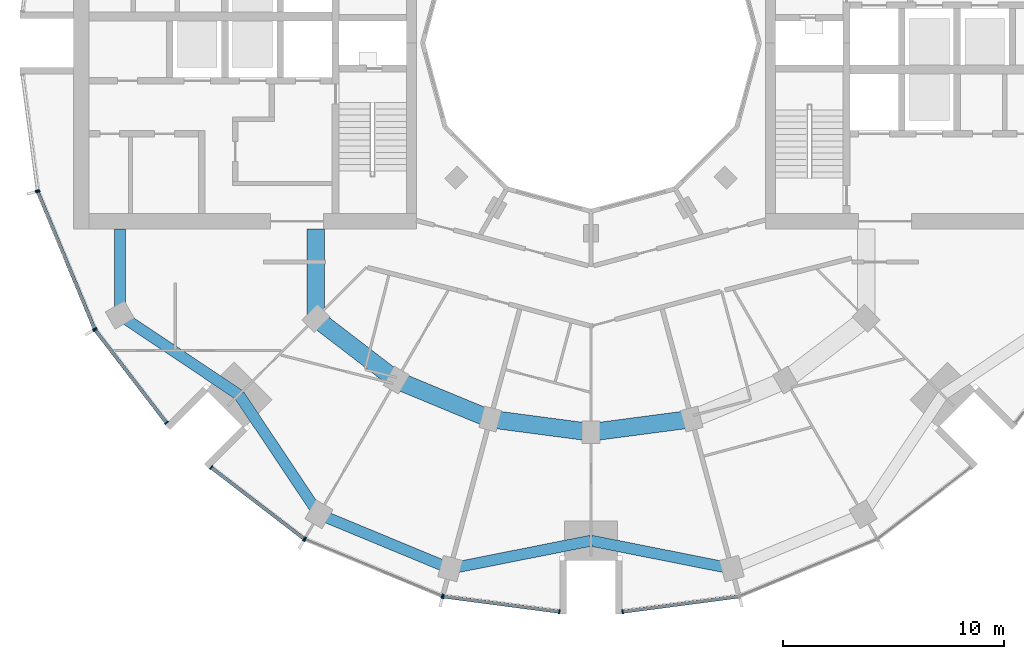
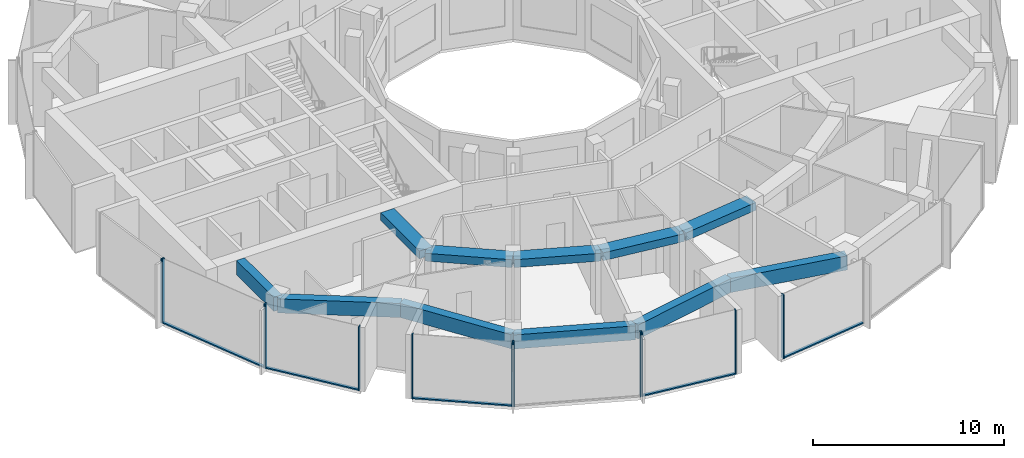
# One storey, part 2 of 15: 17 members, 11 beams, 7 elements without a shape of their own.
"""IFC4 building model written with IfcOpenShell, lengths in metres."""

from ifc_helpers import new_model, si_unit, direction, frame, origin, origin_2d, place, context, subcontext, project, spatial, rectangle, extrude, material, layer, layer_set, material_profile, profile_set, type_object, element, aggregate, save


model = new_model("IFC4")

# Units and contexts
model_context = context("Model", 3, precision=1e-05, world=origin(), true_north=direction((0.0, 1.0)))
body_context = subcontext(model_context, "Body", "Model", "MODEL_VIEW")
ifc_project = project(units=[si_unit("LENGTHUNIT", "METRE"), si_unit("AREAUNIT", "SQUARE_METRE"), si_unit("VOLUMEUNIT", "CUBIC_METRE"), si_unit("PLANEANGLEUNIT", "RADIAN"), si_unit("MASSUNIT", "GRAM", prefix="KILO")], contexts=[model_context])

# Site, building, storey
site_placement = place(None, origin())
site = spatial("IfcSite", under=ifc_project, at=site_placement, CompositionType="ELEMENT")
building_placement = place(site_placement, origin())
building = spatial("IfcBuilding", under=site, at=building_placement, Name="Torre Brocal", CompositionType="ELEMENT")
storey_placement = place(building_placement, frame((0.0, 0.0, 182.300048828125)))
storey = spatial("IfcBuildingStorey", under=building, at=storey_placement, Name="L42", CompositionType="ELEMENT", Elevation=182.300048828125)

# Curtain wall, members
ifc_material_1 = material(Name="Aluminium and glass", Category="aluminium")
ifc_layer_1 = layer(ifc_material_1, 0.199951171875)
ifc_layer_set_1 = layer_set([ifc_layer_1], Name="Aluminium and glass")
curtain_wall_type_1 = type_object("IfcCurtainWallType", Name="CW-1 CURTAIN WALL 4100 HIGH", PredefinedType="NOTDEFINED", material=ifc_layer_set_1)
curtain_wall_1_placement = place(storey_placement, origin())
curtain_wall_1 = element("IfcCurtainWall", 1, at=curtain_wall_1_placement, inside=storey, type_object=curtain_wall_type_1, Name="CW-1 RUN 14", PredefinedType="NOTDEFINED")
ifc_material_2 = material(Name="Aluminium, dark anodised", Category="aluminium")
ifc_material_profile_1 = material_profile(ifc_material_2, rectangle(XDim=0.199951171875, YDim=0.06005859375, at=origin_2d()), Name="CW-1 MULLION 60X200")
ifc_profile_set_1 = profile_set([ifc_material_profile_1], Name="Aluminium, dark anodised")
member_type_1 = type_object("IfcMemberType", Name="CW-1 MULLION 60X200", PredefinedType="MULLION", material=ifc_profile_set_1)
member_1_placement = place(storey_placement, frame((54.994873046875, 68.26904296875, 0.0), z_axis=(0.0, 0.0, 1.0), x_axis=(0.923879532525, 0.382683432333, 0.0)))
member_1 = element("IfcMember", 2, at=member_1_placement, type_object=member_type_1, Name="CW1-4 mullion 1", PredefinedType="MULLION", context=body_context, shape_type="SweptSolid", body=[
    extrude(rectangle(XDim=0.199951171875, YDim=0.06005859375, at=origin_2d()), origin(), (0.0, 0.0, 1.0), 4.099853515625),
])
member_2_placement = place(storey_placement, frame((57.559326171875, 62.078125, 0.0), z_axis=(0.0, 0.0, 1.0), x_axis=(0.923879532525, 0.382683432333, 0.0)))
member_2 = element("IfcMember", 3, at=member_2_placement, type_object=member_type_1, Name="CW1-4 mullion 2", PredefinedType="MULLION", context=body_context, shape_type="SweptSolid", body=[
    extrude(rectangle(XDim=0.199951171875, YDim=0.06005859375, at=origin_2d()), origin(), (0.0, 0.0, 1.0), 4.099853515625),
])

curtain_wall_2_placement = place(storey_placement, origin())
curtain_wall_2 = element("IfcCurtainWall", 4, at=curtain_wall_2_placement, inside=storey, type_object=curtain_wall_type_1, Name="CW-1 RUN 15", PredefinedType="NOTDEFINED")
member_3_placement = place(storey_placement, frame((57.5888671875, 62.026611328125, 0.0), z_axis=(0.0, 0.0, 1.0), x_axis=(0.793353340259, 0.60876142905, 0.0)))
member_3 = element("IfcMember", 5, at=member_3_placement, type_object=member_type_1, Name="CW1-4 mullion 1", PredefinedType="MULLION", context=body_context, shape_type="SweptSolid", body=[
    extrude(rectangle(XDim=0.199951171875, YDim=0.06005859375, at=origin_2d()), origin(), (0.0, 0.0, 1.0), 4.099853515625),
])
member_4_placement = place(storey_placement, frame((60.80859375, 57.83056640625, 0.0), z_axis=(0.0, 0.0, 1.0), x_axis=(0.793353340259, 0.60876142905, 0.0)))
member_4 = element("IfcMember", 6, at=member_4_placement, type_object=member_type_1, Name="CW1-4 mullion 2", PredefinedType="MULLION", context=body_context, shape_type="SweptSolid", body=[
    extrude(rectangle(XDim=0.199951171875, YDim=0.06005859375, at=origin_2d()), origin(), (0.0, 0.0, 1.0), 4.099853515625),
])

curtain_wall_3_placement = place(storey_placement, origin())
curtain_wall_3 = element("IfcCurtainWall", 7, at=curtain_wall_3_placement, inside=storey, type_object=curtain_wall_type_1, Name="CW-1 RUN 16", PredefinedType="NOTDEFINED")
member_5_placement = place(storey_placement, frame((62.83056640625, 55.80859375, 0.0), z_axis=(0.0, 0.0, 1.0), x_axis=(0.60876142905, 0.793353340259, 0.0)))
member_5 = element("IfcMember", 8, at=member_5_placement, type_object=member_type_1, Name="CW1-4 mullion 1", PredefinedType="MULLION", context=body_context, shape_type="SweptSolid", body=[
    extrude(rectangle(XDim=0.199951171875, YDim=0.06005859375, at=origin_2d()), origin(), (0.0, 0.0, 1.0), 4.099853515625),
])
member_6_placement = place(storey_placement, frame((67.026611328125, 52.5888671875, 0.0), z_axis=(0.0, 0.0, 1.0), x_axis=(0.60876142905, 0.793353340259, 0.0)))
member_6 = element("IfcMember", 9, at=member_6_placement, type_object=member_type_1, Name="CW1-4 mullion 2", PredefinedType="MULLION", context=body_context, shape_type="SweptSolid", body=[
    extrude(rectangle(XDim=0.199951171875, YDim=0.06005859375, at=origin_2d()), origin(), (0.0, 0.0, 1.0), 4.099853515625),
])

curtain_wall_4_placement = place(storey_placement, origin())
curtain_wall_4 = element("IfcCurtainWall", 10, at=curtain_wall_4_placement, inside=storey, type_object=curtain_wall_type_1, Name="CW-1 RUN 17", PredefinedType="NOTDEFINED")
member_7_placement = place(storey_placement, frame((67.078125, 52.559326171875, 0.0), z_axis=(0.0, 0.0, 1.0), x_axis=(0.382683432333, 0.923879532525, 0.0)))
member_7 = element("IfcMember", 11, at=member_7_placement, type_object=member_type_1, Name="CW1-4 mullion 1", PredefinedType="MULLION", context=body_context, shape_type="SweptSolid", body=[
    extrude(rectangle(XDim=0.199951171875, YDim=0.06005859375, at=origin_2d()), origin(), (0.0, 0.0, 1.0), 4.099853515625),
])
member_8_placement = place(storey_placement, frame((73.26904296875, 49.994873046875, 0.0), z_axis=(0.0, 0.0, 1.0), x_axis=(0.382683432333, 0.923879532525, 0.0)))
member_8 = element("IfcMember", 12, at=member_8_placement, type_object=member_type_1, Name="CW1-4 mullion 2", PredefinedType="MULLION", context=body_context, shape_type="SweptSolid", body=[
    extrude(rectangle(XDim=0.199951171875, YDim=0.06005859375, at=origin_2d()), origin(), (0.0, 0.0, 1.0), 4.099853515625),
])
aggregate(curtain_wall_4, [member_7, member_8])

curtain_wall_5_placement = place(storey_placement, origin())
curtain_wall_5 = element("IfcCurtainWall", 13, at=curtain_wall_5_placement, inside=storey, type_object=curtain_wall_type_1, Name="CW-1 RUN 18", PredefinedType="NOTDEFINED")
member_9_placement = place(storey_placement, frame((73.32666015625, 49.9794921875, 0.0), z_axis=(0.0, 0.0, 1.0), x_axis=(0.13052619222, 0.991444861374, 0.0)))
member_9 = element("IfcMember", 14, at=member_9_placement, type_object=member_type_1, Name="CW1-4 mullion 1", PredefinedType="MULLION", context=body_context, shape_type="SweptSolid", body=[
    extrude(rectangle(XDim=0.199951171875, YDim=0.06005859375, at=origin_2d()), origin(), (0.0, 0.0, 1.0), 4.099853515625),
])
member_10_placement = place(storey_placement, frame((78.5703125, 49.2890625, 0.0), z_axis=(0.0, 0.0, 1.0), x_axis=(0.13052619222, 0.991444861374, 0.0)))
member_10 = element("IfcMember", 15, at=member_10_placement, type_object=member_type_1, Name="CW1-4 mullion 2", PredefinedType="MULLION", context=body_context, shape_type="SweptSolid", body=[
    extrude(rectangle(XDim=0.199951171875, YDim=0.06005859375, at=origin_2d()), origin(), (0.0, 0.0, 1.0), 4.099853515625),
])

# Curtain wall, member
curtain_wall_6_placement = place(storey_placement, origin())
curtain_wall_6 = element("IfcCurtainWall", 16, at=curtain_wall_6_placement, inside=storey, type_object=curtain_wall_type_1, Name="CW-1 RUN 19", PredefinedType="NOTDEFINED")
member_11_placement = place(storey_placement, frame((81.4296875, 49.2890625, 0.0), z_axis=(0.0, 0.0, 1.0), x_axis=(-0.13052619222, 0.991444861374, 0.0)))
member_11 = element("IfcMember", 17, at=member_11_placement, type_object=member_type_1, Name="CW1-4 mullion 1", PredefinedType="MULLION", context=body_context, shape_type="SweptSolid", body=[
    extrude(rectangle(XDim=0.199951171875, YDim=0.06005859375, at=origin_2d()), origin(), (0.0, 0.0, 1.0), 4.099853515625),
])

# Member
ifc_material_3 = material(Name="Aluminium, dark anodised", Category="aluminium")
ifc_material_profile_2 = material_profile(ifc_material_3, rectangle(XDim=0.159912109375, YDim=0.080078125, at=origin_2d()), Name="CW-1 TRANSOM 160X80")
ifc_profile_set_2 = profile_set([ifc_material_profile_2], Name="Aluminium, dark anodised")
member_type_2 = type_object("IfcMemberType", Name="CW-1 TRANSOM 160X80", PredefinedType="USERDEFINED", material=ifc_profile_set_2)
member_12_placement = place(storey_placement, frame((55.00634765625, 68.241455078125, 0.0400390625), z_axis=(0.38266457234, -0.923887344364, 0.0), x_axis=(0.923887344364, 0.38266457234, 0.0)))
member_12 = element("IfcMember", 18, at=member_12_placement, type_object=member_type_2, Name="CW1-4 transom 1.1", ObjectType="TRANSOM", PredefinedType="USERDEFINED", context=body_context, shape_type="SweptSolid", body=[
    extrude(rectangle(XDim=0.159912109375, YDim=0.080078125, at=origin_2d()), origin(), (0.0, 0.0, 1.0), 6.640869140625),
])

aggregate(curtain_wall_1, [member_1, member_2, member_12])

member_13_placement = place(storey_placement, frame((57.607177734375, 62.0029296875, 0.0400390625), z_axis=(0.60874908096, -0.79336281513, 0.0), x_axis=(0.79336281513, 0.60874908096, 0.0)))
member_13 = element("IfcMember", 19, at=member_13_placement, type_object=member_type_2, Name="CW1-4 transom 1.1", ObjectType="TRANSOM", PredefinedType="USERDEFINED", context=body_context, shape_type="SweptSolid", body=[
    extrude(rectangle(XDim=0.159912109375, YDim=0.080078125, at=origin_2d()), origin(), (0.0, 0.0, 1.0), 5.22900390625),
])

aggregate(curtain_wall_2, [member_3, member_4, member_13])

member_14_placement = place(storey_placement, frame((62.8544921875, 55.790283203125, 0.0400390625), z_axis=(0.79336281513, -0.60874908096, 0.0), x_axis=(0.60874908096, 0.79336281513, 0.0)))
member_14 = element("IfcMember", 20, at=member_14_placement, type_object=member_type_2, Name="CW1-4 transom 1.1", ObjectType="TRANSOM", PredefinedType="USERDEFINED", context=body_context, shape_type="SweptSolid", body=[
    extrude(rectangle(XDim=0.159912109375, YDim=0.080078125, at=origin_2d()), origin(), (0.0, 0.0, 1.0), 5.22900390625),
])

aggregate(curtain_wall_3, [member_5, member_6, member_14])

member_15_placement = place(storey_placement, frame((73.356201171875, 49.9755859375, 0.0400390625), z_axis=(0.991442690863, -0.130542677827, 0.0), x_axis=(0.130542677827, 0.991442690863, 0.0)))
member_15 = element("IfcMember", 21, at=member_15_placement, type_object=member_type_2, Name="CW1-4 transom 1.1", ObjectType="TRANSOM", PredefinedType="USERDEFINED", context=body_context, shape_type="SweptSolid", body=[
    extrude(rectangle(XDim=0.159912109375, YDim=0.080078125, at=origin_2d()), origin(), (0.0, 0.0, 1.0), 5.22900390625),
])

aggregate(curtain_wall_5, [member_9, member_10, member_15])

member_16_placement = place(storey_placement, frame((81.45947265625, 49.29296875, 0.0400390625), z_axis=(0.991442690863, 0.130542677827, 0.0), x_axis=(-0.130542677827, 0.991442690863, 0.0)))
member_16 = element("IfcMember", 22, at=member_16_placement, type_object=member_type_2, Name="CW1-4 transom 1.1", ObjectType="TRANSOM", PredefinedType="USERDEFINED", context=body_context, shape_type="SweptSolid", body=[
    extrude(rectangle(XDim=0.159912109375, YDim=0.080078125, at=origin_2d()), origin(), (0.0, 0.0, 1.0), 5.22900390625),
])

aggregate(curtain_wall_6, [member_11, member_16])

# Curtain wall, member
ifc_material_4 = material(Name="Aluminium and glass", Category="aluminium")
ifc_layer_2 = layer(ifc_material_4, 0.199951171875)
ifc_layer_set_2 = layer_set([ifc_layer_2], Name="Aluminium and glass")
curtain_wall_type_2 = type_object("IfcCurtainWallType", Name="CW-1B CURTAIN WALL 4100 HIGH", PredefinedType="NOTDEFINED", material=ifc_layer_set_2)
curtain_wall_7_placement = place(storey_placement, origin())
curtain_wall_7 = element("IfcCurtainWall", 23, at=curtain_wall_7_placement, inside=storey, type_object=curtain_wall_type_2, Name="CW-1B RUN 13", PredefinedType="NOTDEFINED")
ifc_material_5 = material(Name="Aluminium, dark anodised", Category="aluminium")
ifc_material_profile_3 = material_profile(ifc_material_5, rectangle(XDim=0.199951171875, YDim=0.06005859375, at=origin_2d()), Name="CW-1B MULLION 60X200")
ifc_profile_set_3 = profile_set([ifc_material_profile_3], Name="Aluminium, dark anodised")
member_type_3 = type_object("IfcMemberType", Name="CW-1B MULLION 60X200", PredefinedType="MULLION", material=ifc_profile_set_3)
member_17_placement = place(storey_placement, frame((54.9794921875, 68.32666015625, 0.0), z_axis=(0.0, 0.0, 1.0), x_axis=(0.991444861374, 0.13052619222, 0.0)))
member_17 = element("IfcMember", 24, at=member_17_placement, type_object=member_type_3, Name="CW1B-4 mullion 2", PredefinedType="MULLION", context=body_context, shape_type="SweptSolid", body=[
    extrude(rectangle(XDim=0.199951171875, YDim=0.06005859375, at=origin_2d()), origin(), (0.0, 0.0, 1.0), 4.099853515625),
])
aggregate(curtain_wall_7, [member_17])

# Beams
ifc_material_6 = material(Name="Concrete C50", Category="concrete")
ifc_material_profile_4 = material_profile(ifc_material_6, rectangle(XDim=0.800048828125, YDim=0.5, at=origin_2d()), Name="RC 800X500")
ifc_profile_set_4 = profile_set([ifc_material_profile_4], Name="Concrete C50")
beam_type_1 = type_object("IfcBeamType", Name="RC BEAM 800X500 C50 TOP 3780", PredefinedType="BEAM", material=ifc_profile_set_4)
beam_1_placement = place(storey_placement, frame((67.554931640625, 62.554931640625, 3.530029296875), z_axis=(0.0, 1.0, 0.0), x_axis=(-1.0, 0.0, 0.0)))
element("IfcBeam", 25, at=beam_1_placement, inside=storey, type_object=beam_type_1, Name="Beam BT-32", PredefinedType="BEAM", context=body_context, shape_type="SweptSolid", body=[
    extrude(rectangle(XDim=0.800048828125, YDim=0.5, at=origin_2d()), origin(), (0.0, 0.0, 1.0), 4.045166015625),
])
beam_2_placement = place(storey_placement, frame((67.554931640625, 62.554931640625, 3.530029296875), z_axis=(0.793358265959, -0.6087550097, 0.0), x_axis=(0.6087550097, 0.793358265959, 0.0)))
element("IfcBeam", 26, at=beam_2_placement, inside=storey, type_object=beam_type_1, Name="Beam BT-32", PredefinedType="BEAM", context=body_context, shape_type="SweptSolid", body=[
    extrude(rectangle(XDim=0.800048828125, YDim=0.5, at=origin_2d()), origin(), (0.0, 0.0, 1.0), 4.594482421875),
])
beam_3_placement = place(storey_placement, frame((71.199951171875, 59.758056640625, 3.530029296875), z_axis=(0.923878240166, -0.382686552348, 0.0), x_axis=(0.382686552348, 0.923878240166, 0.0)))
element("IfcBeam", 27, at=beam_3_placement, inside=storey, type_object=beam_type_1, Name="Beam BT-32", PredefinedType="BEAM", context=body_context, shape_type="SweptSolid", body=[
    extrude(rectangle(XDim=0.800048828125, YDim=0.5, at=origin_2d()), origin(), (0.0, 0.0, 1.0), 4.5947265625),
])
for number, where, z_axis, x_axis, name in (
    (28, (75.44482421875, 57.999755859375, 3.530029296875), (0.991440544449, -0.130558978332, 0.0), (0.130558978332, 0.991440544449, 0.0), "Beam BT-32"),
    (29, (80.0, 57.39990234375, 3.530029296875), (0.991440544449, 0.130558978332, 0.0), (-0.130558978332, 0.991440544449, 0.0), "Beam BT-32"),
):
    element("IfcBeam", number, at=place(storey_placement, frame(where, z_axis=z_axis, x_axis=x_axis)), inside=storey, type_object=beam_type_1, Name=name, PredefinedType="BEAM", context=body_context, shape_type="SweptSolid", body=[
        extrude(rectangle(XDim=0.800048828125, YDim=0.5, at=origin_2d()), origin(), (0.0, 0.0, 1.0), 4.594482421875),
    ])
ifc_material_7 = material(Name="Concrete C50", Category="concrete")
ifc_material_profile_5 = material_profile(ifc_material_7, rectangle(XDim=0.5, YDim=0.89990234375, at=origin_2d()), Name="RC 500X900")
ifc_profile_set_5 = profile_set([ifc_material_profile_5], Name="Concrete C50")
beam_type_2 = type_object("IfcBeamType", Name="RC SPANDREL BEAM 500X900 C50 TOP 3780", PredefinedType="SPANDREL", material=ifc_profile_set_5)
beam_4_placement = place(storey_placement, frame((58.69580078125, 62.699951171875, 3.329833984375), z_axis=(0.0, 1.0, 0.0), x_axis=(-1.0, 0.0, 0.0)))
element("IfcBeam", 30, at=beam_4_placement, inside=storey, type_object=beam_type_2, Name="Beam BT-33", PredefinedType="SPANDREL", context=body_context, shape_type="SweptSolid", body=[
    extrude(rectangle(XDim=0.5, YDim=0.89990234375, at=origin_2d()), origin(), (0.0, 0.0, 1.0), 3.900146484375),
])
for number, where, z_axis, x_axis, name in (
    (31, (58.69580078125, 62.699951171875, 3.329833984375), (0.831076844476, -0.556157602282, 0.0), (0.556157602282, 0.831076844476, 0.0), "Beam BT-33"),
    (32, (64.090087890625, 59.090087890625, 3.329833984375), (0.556157602282, -0.831076844476, 0.0), (0.831076844476, 0.556157602282, 0.0), "Beam BT-33"),
):
    element("IfcBeam", number, at=place(storey_placement, frame(where, z_axis=z_axis, x_axis=x_axis)), inside=storey, type_object=beam_type_2, Name=name, PredefinedType="SPANDREL", context=body_context, shape_type="SweptSolid", body=[
        extrude(rectangle(XDim=0.5, YDim=0.89990234375, at=origin_2d()), origin(), (0.0, 0.0, 1.0), 6.49072265625),
    ])
beam_5_placement = place(storey_placement, frame((67.699951171875, 53.69580078125, 3.329833984375), z_axis=(0.923882462513, -0.382676358639, 0.0), x_axis=(0.382676358639, 0.923882462513, 0.0)))
element("IfcBeam", 33, at=beam_5_placement, inside=storey, type_object=beam_type_2, Name="Beam BT-33", PredefinedType="SPANDREL", context=body_context, shape_type="SweptSolid", body=[
    extrude(rectangle(XDim=0.5, YDim=0.89990234375, at=origin_2d()), origin(), (0.0, 0.0, 1.0), 6.421875),
])
for number, where, z_axis, x_axis, name in (
    (34, (73.633056640625, 51.23828125, 3.329833984375), (0.980924907484, 0.194387051723, 0.0), (-0.194387051723, 0.980924907484, 0.0), "Beam BT-33"),
    (35, (80.0, 52.5, 3.329833984375), (0.980924907484, -0.194387051723, 0.0), (0.194387051723, 0.980924907484, 0.0), "Beam BT-33"),
):
    element("IfcBeam", number, at=place(storey_placement, frame(where, z_axis=z_axis, x_axis=x_axis)), inside=storey, type_object=beam_type_2, Name=name, PredefinedType="SPANDREL", context=body_context, shape_type="SweptSolid", body=[
        extrude(rectangle(XDim=0.5, YDim=0.89990234375, at=origin_2d()), origin(), (0.0, 0.0, 1.0), 6.49072265625),
    ])

save(model, "model.ifc")
